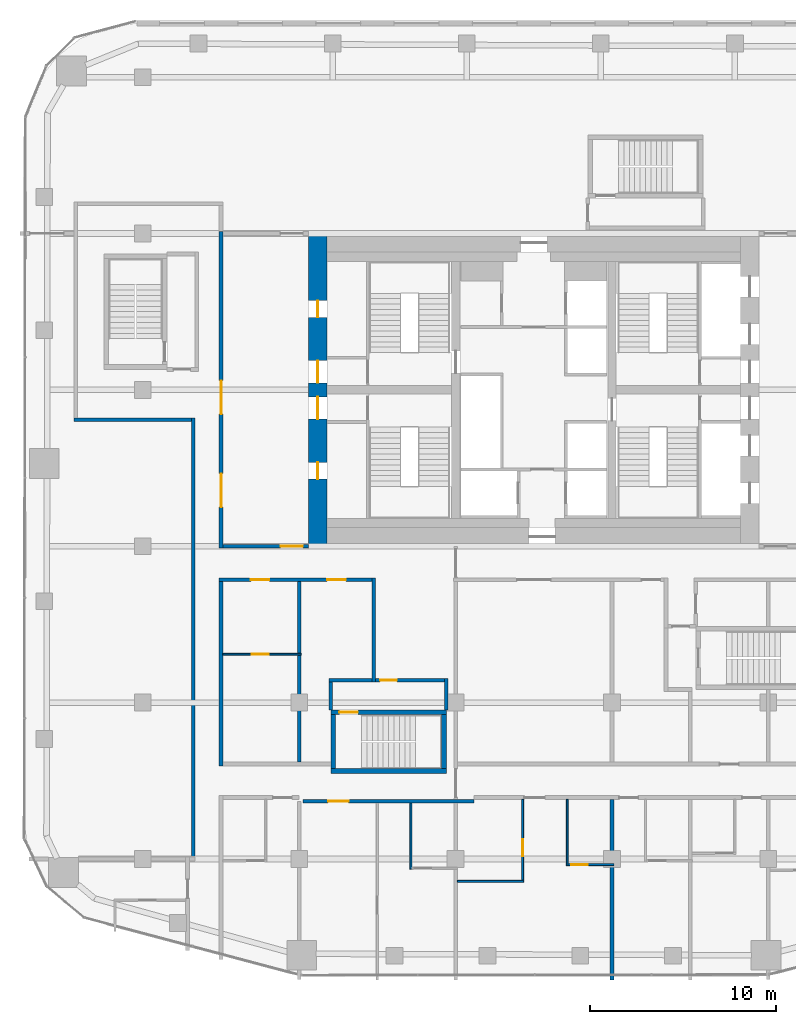
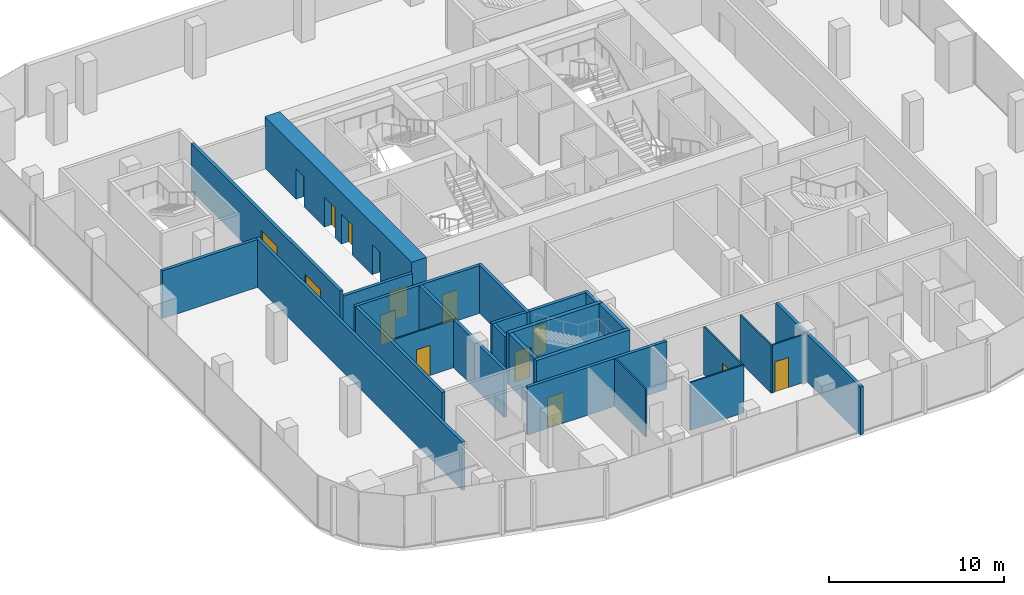
# One storey, part 14 of 21: 25 walls, 15 doors, 15 openings.
"""IFC4 building model written with IfcOpenShell, lengths in metres."""

from ifc_helpers import new_model, si_unit, direction, frame, frame_2d, origin, place, context, subcontext, project, spatial, rectangle, extrude, material, layer, layer_set, type_object, element, fill, save


model = new_model("IFC4")

# Units and contexts
model_context = context("Model", 3, precision=1e-05, world=origin(), true_north=direction((0.0, 1.0)))
body_context = subcontext(model_context, "Body", "Model", "MODEL_VIEW")
ifc_project = project(units=[si_unit("LENGTHUNIT", "METRE"), si_unit("AREAUNIT", "SQUARE_METRE"), si_unit("VOLUMEUNIT", "CUBIC_METRE"), si_unit("PLANEANGLEUNIT", "RADIAN"), si_unit("MASSUNIT", "GRAM", prefix="KILO")], contexts=[model_context])

# Site, building, storey
site_placement = place(None, origin())
site = spatial("IfcSite", under=ifc_project, at=site_placement, CompositionType="ELEMENT")
building_placement = place(site_placement, origin())
building = spatial("IfcBuilding", under=site, at=building_placement, Name="Marenta Gate Hotel Tower", CompositionType="ELEMENT")
storey_placement = place(building_placement, frame((0.0, 0.0, 133.699951171875)))
storey = spatial("IfcBuildingStorey", under=building, at=storey_placement, Name="L30", CompositionType="ELEMENT", Elevation=133.699951171875)

# Wall, openings, doors
ifc_material_1 = material(Name="Concrete blockwork", Category="masonry")
ifc_layer_1 = layer(ifc_material_1, 0.199951171875)
ifc_layer_set_1 = layer_set([ifc_layer_1], Name="Concrete blockwork")
wall_type_1 = type_object("IfcWallType", Name="Core boundary wall 200 REI 180", PredefinedType="PARTITIONING", material=ifc_layer_set_1)
wall_1_placement = place(storey_placement, frame((-16.800048828125, -0.10009765625, 0.0), z_axis=(0.0, 0.0, 1.0), x_axis=(0.0, 1.0, 0.0)))
wall_1 = element("IfcWall", 1, at=wall_1_placement, inside=storey, type_object=wall_type_1, Name="L30-CP-BW-W", PredefinedType="PARTITIONING", context=body_context, shape_type="SweptSolid", body=[
    extrude(rectangle(XDim=17.0, YDim=0.199951171875, at=frame_2d((8.5, 0.0))), origin(), (0.0, 0.0, 1.0), 3.340087890625),
])
opening_1_placement = place(wall_1_placement, frame((2.199951171875, 0.0, 0.0)))
opening_1 = element("IfcOpeningElement", 2, at=opening_1_placement, cuts=wall_1, Name="Opening ED-Wa-B", PredefinedType="OPENING", context=body_context, shape_type="SweptSolid", body=[
    extrude(rectangle(XDim=1.800048828125, YDim=2.10009765625, at=frame_2d((0.89990234375, 1.050048828125))), frame((0.0, 0.10009765625, 0.0), z_axis=(0.0, -1.0, 0.0), x_axis=(1.0, 0.0, 0.0)), (0.0, 0.0, 1.0), 0.199951171875),
])
opening_2_placement = place(wall_1_placement, frame((7.199951171875, 0.0, 0.0)))
opening_2 = element("IfcOpeningElement", 3, at=opening_2_placement, cuts=wall_1, Name="Opening ED-Wb-B", PredefinedType="OPENING", context=body_context, shape_type="SweptSolid", body=[
    extrude(rectangle(XDim=1.800048828125, YDim=2.10009765625, at=frame_2d((0.89990234375, 1.050048828125))), frame((0.0, 0.10009765625, 0.0), z_axis=(0.0, -1.0, 0.0), x_axis=(1.0, 0.0, 0.0)), (0.0, 0.0, 1.0), 0.199951171875),
])
ifc_material_2 = material(Name="Steel", Category="steel")
door_type_1 = type_object("IfcDoorType", Name="Core lobby entrance door 1800x2100 EI 60", OperationType="DOUBLE_DOOR_SINGLE_SWING", PredefinedType="DOOR", material=ifc_material_2)
door_1_placement = place(opening_1_placement, origin())
door_1 = element("IfcDoor", 4, at=door_1_placement, inside=storey, type_object=door_type_1, Name="ED-Wa-B", OperationType="DOUBLE_DOOR_SINGLE_SWING", OverallHeight=2.10009765625, OverallWidth=1.800048828125, PredefinedType="DOOR", context=body_context, shape_type="SweptSolid", body=[
    extrude(rectangle(XDim=1.800048828125, YDim=2.10009765625, at=frame_2d((0.89990234375, 1.050048828125))), frame((0.0, 0.02490234375, 0.0), z_axis=(0.0, -1.0, 0.0), x_axis=(1.0, 0.0, 0.0)), (0.0, 0.0, 1.0), 0.050048828125),
])
fill(opening_1, door_1)
door_2_placement = place(opening_2_placement, origin())
door_2 = element("IfcDoor", 5, at=door_2_placement, inside=storey, type_object=door_type_1, Name="ED-Wb-B", OperationType="DOUBLE_DOOR_SINGLE_SWING", OverallHeight=2.10009765625, OverallWidth=1.800048828125, PredefinedType="DOOR", context=body_context, shape_type="SweptSolid", body=[
    extrude(rectangle(XDim=1.800048828125, YDim=2.10009765625, at=frame_2d((0.89990234375, 1.050048828125))), frame((0.0, 0.02490234375, 0.0), z_axis=(0.0, -1.0, 0.0), x_axis=(1.0, 0.0, 0.0)), (0.0, 0.0, 1.0), 0.050048828125),
])
fill(opening_2, door_2)

# Wall, opening, door
wall_2_placement = place(storey_placement, frame((-16.699951171875, 0.0, 0.0), z_axis=(0.0, 0.0, 1.0), x_axis=(1.0, 0.0, 0.0)))
wall_2 = element("IfcWall", 6, at=wall_2_placement, inside=storey, type_object=wall_type_1, Name="L30-CP-EW-WS", PredefinedType="PARTITIONING", context=body_context, shape_type="SweptSolid", body=[
    extrude(rectangle(XDim=4.599853515625, YDim=0.199951171875, at=frame_2d((2.2998046875, 0.0))), origin(), (0.0, 0.0, 1.0), 2.89013671875),
])
opening_3_placement = place(wall_2_placement, frame((3.10009765625, 0.0, 0.0)))
opening_3 = element("IfcOpeningElement", 7, at=opening_3_placement, cuts=wall_2, Name="Opening RFD-WS", PredefinedType="OPENING", context=body_context, shape_type="SweptSolid", body=[
    extrude(rectangle(XDim=1.199951171875, YDim=2.10009765625, at=frame_2d((0.60009765625, 1.050048828125))), frame((0.0, 0.10009765625, 0.0), z_axis=(0.0, -1.0, 0.0), x_axis=(1.0, 0.0, 0.0)), (0.0, 0.0, 1.0), 0.199951171875),
])
ifc_material_3 = material(Name="Steel", Category="steel")
door_type_2 = type_object("IfcDoorType", Name="Core lobby door 1200x2100 FD60", OperationType="SINGLE_SWING_LEFT", PredefinedType="DOOR", material=ifc_material_3)
door_3_placement = place(opening_3_placement, origin())
door_3 = element("IfcDoor", 8, at=door_3_placement, inside=storey, type_object=door_type_2, Name="RFD-WS", OperationType="SINGLE_SWING_LEFT", OverallHeight=2.10009765625, OverallWidth=1.199951171875, PredefinedType="DOOR", context=body_context, shape_type="SweptSolid", body=[
    extrude(rectangle(XDim=1.199951171875, YDim=2.10009765625, at=frame_2d((0.60009765625, 1.050048828125))), frame((0.0, 0.02490234375, 0.0), z_axis=(0.0, -1.0, 0.0), x_axis=(1.0, 0.0, 0.0)), (0.0, 0.0, 1.0), 0.050048828125),
])
fill(opening_3, door_3)

# Wall, openings, doors
ifc_material_4 = material(Name="Concrete C70", Category="concrete")
ifc_layer_2 = layer(ifc_material_4, 1.0)
ifc_layer_set_2 = layer_set([ifc_layer_2], Name="Concrete C70")
wall_type_2 = type_object("IfcWallType", Name="Core wall 1000 C70", PredefinedType="SHEAR", material=ifc_layer_set_2)
wall_3_placement = place(storey_placement, frame((-11.60009765625, 0.0, 0.0), z_axis=(0.0, 0.0, 1.0), x_axis=(0.0, 1.0, 0.0)))
wall_3 = element("IfcWall", 9, at=wall_3_placement, inside=storey, type_object=wall_type_2, Name="L30-CORE-W", PredefinedType="SHEAR", context=body_context, shape_type="SweptSolid", body=[
    extrude(rectangle(XDim=16.800048828125, YDim=1.0, at=frame_2d((8.39990234375, 0.0))), origin(), (0.0, 0.0, 1.0), 3.60009765625),
])
opening_4_placement = place(wall_3_placement, frame((3.60009765625, 0.0, 0.0)))
opening_4 = element("IfcOpeningElement", 10, at=opening_4_placement, cuts=wall_3, Name="Opening RD-WS-1", PredefinedType="OPENING", context=body_context, shape_type="SweptSolid", body=[
    extrude(rectangle(XDim=0.89990234375, YDim=2.10009765625, at=frame_2d((0.449951171875, 1.050048828125))), frame((0.0, 0.5, 0.0), z_axis=(0.0, -1.0, 0.0), x_axis=(1.0, 0.0, 0.0)), (0.0, 0.0, 1.0), 1.0),
])
opening_5_placement = place(wall_3_placement, frame((6.824951171875, 0.0, 0.0)))
opening_5 = element("IfcOpeningElement", 11, at=opening_5_placement, cuts=wall_3, Name="Opening PD-WS", PredefinedType="OPENING", context=body_context, shape_type="SweptSolid", body=[
    extrude(rectangle(XDim=1.199951171875, YDim=2.10009765625, at=frame_2d((0.60009765625, 1.050048828125))), frame((0.0, 0.5, 0.0), z_axis=(0.0, -1.0, 0.0), x_axis=(1.0, 0.0, 0.0)), (0.0, 0.0, 1.0), 1.0),
])
opening_6_placement = place(wall_3_placement, frame((12.300048828125, 0.0, 0.0)))
opening_6 = element("IfcOpeningElement", 12, at=opening_6_placement, cuts=wall_3, Name="Opening RD-WN-1", PredefinedType="OPENING", context=body_context, shape_type="SweptSolid", body=[
    extrude(rectangle(XDim=0.89990234375, YDim=2.10009765625, at=frame_2d((0.449951171875, 1.050048828125))), frame((0.0, 0.5, 0.0), z_axis=(0.0, -1.0, 0.0), x_axis=(1.0, 0.0, 0.0)), (0.0, 0.0, 1.0), 1.0),
])
opening_7_placement = place(wall_3_placement, frame((8.77490234375, 0.0, 0.0)))
opening_7 = element("IfcOpeningElement", 13, at=opening_7_placement, cuts=wall_3, Name="Opening PD-WN", PredefinedType="OPENING", context=body_context, shape_type="SweptSolid", body=[
    extrude(rectangle(XDim=1.199951171875, YDim=2.10009765625, at=frame_2d((0.60009765625, 1.050048828125))), frame((0.0, 0.5, 0.0), z_axis=(0.0, -1.0, 0.0), x_axis=(1.0, 0.0, 0.0)), (0.0, 0.0, 1.0), 1.0),
])
door_4_placement = place(opening_5_placement, origin())
door_4 = element("IfcDoor", 14, at=door_4_placement, inside=storey, type_object=door_type_2, Name="PD-WS", OperationType="SINGLE_SWING_LEFT", OverallHeight=2.10009765625, OverallWidth=1.199951171875, PredefinedType="DOOR", context=body_context, shape_type="SweptSolid", body=[
    extrude(rectangle(XDim=1.199951171875, YDim=2.10009765625, at=frame_2d((0.60009765625, 1.050048828125))), frame((0.0, 0.02490234375, 0.0), z_axis=(0.0, -1.0, 0.0), x_axis=(1.0, 0.0, 0.0)), (0.0, 0.0, 1.0), 0.050048828125),
])
fill(opening_5, door_4)
door_5_placement = place(opening_7_placement, origin())
door_5 = element("IfcDoor", 15, at=door_5_placement, inside=storey, type_object=door_type_2, Name="PD-WN", OperationType="SINGLE_SWING_LEFT", OverallHeight=2.10009765625, OverallWidth=1.199951171875, PredefinedType="DOOR", context=body_context, shape_type="SweptSolid", body=[
    extrude(rectangle(XDim=1.199951171875, YDim=2.10009765625, at=frame_2d((0.60009765625, 1.050048828125))), frame((0.0, 0.02490234375, 0.0), z_axis=(0.0, -1.0, 0.0), x_axis=(1.0, 0.0, 0.0)), (0.0, 0.0, 1.0), 0.050048828125),
])
fill(opening_7, door_5)
ifc_material_5 = material(Name="Steel", Category="steel")
door_type_3 = type_object("IfcDoorType", Name="Core service room door 900x2100 FD30S", OperationType="SINGLE_SWING_LEFT", PredefinedType="DOOR", material=ifc_material_5)
door_6_placement = place(opening_4_placement, origin())
door_6 = element("IfcDoor", 16, at=door_6_placement, inside=storey, type_object=door_type_3, Name="RD-WS-1", OperationType="SINGLE_SWING_LEFT", OverallHeight=2.10009765625, OverallWidth=0.89990234375, PredefinedType="DOOR", context=body_context, shape_type="SweptSolid", body=[
    extrude(rectangle(XDim=0.89990234375, YDim=2.10009765625, at=frame_2d((0.449951171875, 1.050048828125))), frame((0.0, 0.02490234375, 0.0), z_axis=(0.0, -1.0, 0.0), x_axis=(1.0, 0.0, 0.0)), (0.0, 0.0, 1.0), 0.050048828125),
])
fill(opening_4, door_6)
door_7_placement = place(opening_6_placement, origin())
door_7 = element("IfcDoor", 17, at=door_7_placement, inside=storey, type_object=door_type_3, Name="RD-WN-1", OperationType="SINGLE_SWING_LEFT", OverallHeight=2.10009765625, OverallWidth=0.89990234375, PredefinedType="DOOR", context=body_context, shape_type="SweptSolid", body=[
    extrude(rectangle(XDim=0.89990234375, YDim=2.10009765625, at=frame_2d((0.449951171875, 1.050048828125))), frame((0.0, 0.02490234375, 0.0), z_axis=(0.0, -1.0, 0.0), x_axis=(1.0, 0.0, 0.0)), (0.0, 0.0, 1.0), 0.050048828125),
])
fill(opening_6, door_7)

# Wall
ifc_material_6 = material(Name="Concrete C40", Category="concrete")
ifc_layer_3 = layer(ifc_material_6, 0.25)
ifc_layer_set_3 = layer_set([ifc_layer_3], Name="Concrete C40")
wall_type_3 = type_object("IfcWallType", Name="Remote stair enclosure wall 250 REI 180", PredefinedType="SHEAR", material=ifc_layer_set_3)
wall_4_placement = place(storey_placement, frame((-10.89990234375, -12.074951171875, 0.10009765625), z_axis=(0.0, 0.0, 1.0), x_axis=(1.0, 0.0, 0.0)))
element("IfcWall", 18, at=wall_4_placement, inside=storey, type_object=wall_type_3, Name="L30-RS-Z2-1-W1", PredefinedType="SHEAR", context=body_context, shape_type="SweptSolid", body=[
    extrude(rectangle(XDim=6.199951171875, YDim=0.25, at=frame_2d((3.10009765625, 0.0))), origin(), (0.0, 0.0, 1.0), 3.599853515625),
])

# Wall, opening, door
wall_5_placement = place(storey_placement, frame((-10.89990234375, -8.925048828125, 0.10009765625), z_axis=(0.0, 0.0, 1.0), x_axis=(1.0, 0.0, 0.0)))
wall_5 = element("IfcWall", 19, at=wall_5_placement, inside=storey, type_object=wall_type_3, Name="L30-RS-Z2-1-W2", PredefinedType="SHEAR", context=body_context, shape_type="SweptSolid", body=[
    extrude(rectangle(XDim=6.199951171875, YDim=0.25, at=frame_2d((3.10009765625, 0.0))), origin(), (0.0, 0.0, 1.0), 3.599853515625),
])
opening_8_placement = place(wall_5_placement, frame((0.449951171875, 0.0, 0.0)))
opening_8 = element("IfcOpeningElement", 20, at=opening_8_placement, cuts=wall_5, Name="Opening VD", PredefinedType="OPENING", context=body_context, shape_type="SweptSolid", body=[
    extrude(rectangle(XDim=1.0, YDim=2.10009765625, at=frame_2d((0.5, 1.050048828125))), frame((0.0, 0.125, 0.0), z_axis=(0.0, -1.0, 0.0), x_axis=(1.0, 0.0, 0.0)), (0.0, 0.0, 1.0), 0.25),
])
ifc_material_7 = material(Name="Steel", Category="steel")
door_type_4 = type_object("IfcDoorType", Name="Stair vestibule door 1000x2100 FD60", OperationType="SINGLE_SWING_LEFT", PredefinedType="DOOR", material=ifc_material_7)
door_8_placement = place(opening_8_placement, origin())
door_8 = element("IfcDoor", 21, at=door_8_placement, inside=storey, type_object=door_type_4, Name="VD", OperationType="SINGLE_SWING_LEFT", OverallHeight=2.10009765625, OverallWidth=1.0, PredefinedType="DOOR", context=body_context, shape_type="SweptSolid", body=[
    extrude(rectangle(XDim=1.0, YDim=2.10009765625, at=frame_2d((0.5, 1.050048828125))), frame((0.0, 0.02490234375, 0.0), z_axis=(0.0, -1.0, 0.0), x_axis=(1.0, 0.0, 0.0)), (0.0, 0.0, 1.0), 0.050048828125),
])
fill(opening_8, door_8)

# Walls
for number, where, z_axis, x_axis, name in (
    (22, (-10.77490234375, -11.949951171875, 0.10009765625), (0.0, 0.0, 1.0), (0.0, 1.0, 0.0), "L30-RS-Z2-1-W3"),
    (23, (-4.824951171875, -11.949951171875, 0.10009765625), (0.0, 0.0, 1.0), (0.0, 1.0, 0.0), "L30-RS-Z2-1-W4"),
):
    element("IfcWall", number, at=place(storey_placement, frame(where, z_axis=z_axis, x_axis=x_axis)), inside=storey, type_object=wall_type_3, Name=name, PredefinedType="SHEAR", context=body_context, shape_type="SweptSolid", body=[
        extrude(rectangle(XDim=2.89990234375, YDim=0.25, at=frame_2d((1.449951171875, 0.0))), origin(), (0.0, 0.0, 1.0), 3.599853515625),
    ])

# Wall, openings, doors
ifc_material_8 = material(Name="Concrete blockwork", Category="masonry")
ifc_layer_4 = layer(ifc_material_8, 0.199951171875)
ifc_layer_set_4 = layer_set([ifc_layer_4], Name="Concrete blockwork")
wall_type_4 = type_object("IfcWallType", Name="Room corridor wall 200 EI 120", PredefinedType="PARTITIONING", material=ifc_layer_set_4)
wall_6_placement = place(storey_placement, frame((-16.89990234375, -1.800048828125, 0.0), z_axis=(0.0, 0.0, 1.0), x_axis=(1.0, 0.0, 0.0)))
wall_6 = element("IfcWall", 24, at=wall_6_placement, inside=storey, type_object=wall_type_4, Name="L30-PTN-W044", PredefinedType="PARTITIONING", context=body_context, shape_type="SweptSolid", body=[
    extrude(rectangle(XDim=8.199951171875, YDim=0.199951171875, at=frame_2d((4.10009765625, 0.0))), origin(), (0.0, 0.0, 1.0), 3.340087890625),
])
opening_9_placement = place(wall_6_placement, frame((1.699951171875, 0.0, 0.0)))
opening_9 = element("IfcOpeningElement", 25, at=opening_9_placement, cuts=wall_6, Name="Opening G11-01", PredefinedType="OPENING", context=body_context, shape_type="SweptSolid", body=[
    extrude(rectangle(XDim=1.0, YDim=2.10009765625, at=frame_2d((0.5, 1.050048828125))), frame((0.0, 0.10009765625, 0.0), z_axis=(0.0, -1.0, 0.0), x_axis=(1.0, 0.0, 0.0)), (0.0, 0.0, 1.0), 0.199951171875),
])
opening_10_placement = place(wall_6_placement, frame((5.800048828125, 0.0, 0.0)))
opening_10 = element("IfcOpeningElement", 26, at=opening_10_placement, cuts=wall_6, Name="Opening G11-03", PredefinedType="OPENING", context=body_context, shape_type="SweptSolid", body=[
    extrude(rectangle(XDim=1.0, YDim=2.10009765625, at=frame_2d((0.5, 1.050048828125))), frame((0.0, 0.10009765625, 0.0), z_axis=(0.0, -1.0, 0.0), x_axis=(1.0, 0.0, 0.0)), (0.0, 0.0, 1.0), 0.199951171875),
])
ifc_material_9 = material(Name="Hollow steel door set", Category="steel")
door_type_5 = type_object("IfcDoorType", Name="Room service door 1000x2100 EI 60", OperationType="NOTDEFINED", PredefinedType="DOOR", material=ifc_material_9)
door_9_placement = place(opening_9_placement, origin())
door_9 = element("IfcDoor", 27, at=door_9_placement, inside=storey, type_object=door_type_5, Name="L30-PD-D001", OperationType="SINGLE_SWING_LEFT", OverallHeight=2.10009765625, OverallWidth=1.0, PredefinedType="DOOR", context=body_context, shape_type="SweptSolid", body=[
    extrude(rectangle(XDim=1.0, YDim=2.10009765625, at=frame_2d((0.5, 1.050048828125))), frame((0.0, 0.02490234375, 0.0), z_axis=(0.0, -1.0, 0.0), x_axis=(1.0, 0.0, 0.0)), (0.0, 0.0, 1.0), 0.050048828125),
])
fill(opening_9, door_9)
door_10_placement = place(opening_10_placement, origin())
door_10 = element("IfcDoor", 28, at=door_10_placement, inside=storey, type_object=door_type_5, Name="L30-PD-D003", OperationType="SINGLE_SWING_LEFT", OverallHeight=2.10009765625, OverallWidth=1.0, PredefinedType="DOOR", context=body_context, shape_type="SweptSolid", body=[
    extrude(rectangle(XDim=1.0, YDim=2.10009765625, at=frame_2d((0.5, 1.050048828125))), frame((0.0, 0.02490234375, 0.0), z_axis=(0.0, -1.0, 0.0), x_axis=(1.0, 0.0, 0.0)), (0.0, 0.0, 1.0), 0.050048828125),
])
fill(opening_10, door_10)

# Wall
wall_7_placement = place(storey_placement, frame((-8.60009765625, -7.300048828125, 0.0), z_axis=(0.0, 0.0, 1.0), x_axis=(0.0, 1.0, 0.0)))
element("IfcWall", 29, at=wall_7_placement, inside=storey, type_object=wall_type_4, Name="L30-PTN-W054", PredefinedType="PARTITIONING", context=body_context, shape_type="SweptSolid", body=[
    extrude(rectangle(XDim=5.60009765625, YDim=0.199951171875, at=frame_2d((2.800048828125, 0.0))), origin(), (0.0, 0.0, 1.0), 3.340087890625),
])

# Wall, opening, door
ifc_material_10 = material(Name="Gypsum board on steel stud", Category="steel")
ifc_layer_5 = layer(ifc_material_10, 0.199951171875)
ifc_layer_set_5 = layer_set([ifc_layer_5], Name="Gypsum board on steel stud")
wall_type_5 = type_object("IfcWallType", Name="Room corridor wall 200 EI 60", PredefinedType="PARTITIONING", material=ifc_layer_set_5)
wall_8_placement = place(storey_placement, frame((-12.39990234375, -13.699951171875, 0.0), z_axis=(0.0, 0.0, 1.0), x_axis=(1.0, 0.0, 0.0)))
wall_8 = element("IfcWall", 30, at=wall_8_placement, inside=storey, type_object=wall_type_5, Name="L30-PTN-W019", PredefinedType="PARTITIONING", context=body_context, shape_type="SweptSolid", body=[
    extrude(rectangle(XDim=9.199951171875, YDim=0.199951171875, at=frame_2d((4.60009765625, 0.0))), origin(), (0.0, 0.0, 1.0), 3.340087890625),
])
opening_11_placement = place(wall_8_placement, frame((1.35009765625, 0.0, 0.0)))
opening_11 = element("IfcOpeningElement", 31, at=opening_11_placement, cuts=wall_8, Name="Opening G11-11", PredefinedType="OPENING", context=body_context, shape_type="SweptSolid", body=[
    extrude(rectangle(XDim=1.10009765625, YDim=2.10009765625, at=frame_2d((0.550048828125, 1.050048828125))), frame((0.0, 0.10009765625, 0.0), z_axis=(0.0, -1.0, 0.0), x_axis=(1.0, 0.0, 0.0)), (0.0, 0.0, 1.0), 0.199951171875),
])
ifc_material_11 = material(Name="Timber door leaf", Category="wood")
door_type_6 = type_object("IfcDoorType", Name="Guest room door 1100x2100 EI 30", OperationType="NOTDEFINED", PredefinedType="DOOR", material=ifc_material_11)
door_11_placement = place(opening_11_placement, origin())
door_11 = element("IfcDoor", 32, at=door_11_placement, inside=storey, type_object=door_type_6, Name="L30-PD-D011", OperationType="SINGLE_SWING_RIGHT", OverallHeight=2.10009765625, OverallWidth=1.10009765625, PredefinedType="DOOR", context=body_context, shape_type="SweptSolid", body=[
    extrude(rectangle(XDim=1.10009765625, YDim=2.10009765625, at=frame_2d((0.550048828125, 1.050048828125))), frame((0.0, 0.02490234375, 0.0), z_axis=(0.0, -1.0, 0.0), x_axis=(1.0, 0.0, 0.0)), (0.0, 0.0, 1.0), 0.050048828125),
])
fill(opening_11, door_11)

# Wall
wall_9_placement = place(storey_placement, frame((-16.800048828125, -11.800048828125, 0.0), z_axis=(0.0, 0.0, 1.0), x_axis=(0.0, 1.0, 0.0)))
element("IfcWall", 33, at=wall_9_placement, inside=storey, type_object=wall_type_5, Name="L30-PTN-W062", PredefinedType="PARTITIONING", context=body_context, shape_type="SweptSolid", body=[
    extrude(rectangle(XDim=9.900146484375, YDim=0.199951171875, at=frame_2d((4.9501953125, 0.0))), origin(), (0.0, 0.0, 1.0), 3.340087890625),
])

# Wall, opening, door
ifc_material_12 = material(Name="Concrete blockwork", Category="masonry")
ifc_layer_6 = layer(ifc_material_12, 0.199951171875)
ifc_layer_set_6 = layer_set([ifc_layer_6], Name="Concrete blockwork")
wall_type_6 = type_object("IfcWallType", Name="Room corridor wall 200 REI 180", PredefinedType="PARTITIONING", material=ifc_layer_set_6)
wall_10_placement = place(storey_placement, frame((-8.5, -7.199951171875, 0.0), z_axis=(0.0, 0.0, 1.0), x_axis=(1.0, 0.0, 0.0)))
wall_10 = element("IfcWall", 34, at=wall_10_placement, inside=storey, type_object=wall_type_6, Name="L30-PTN-W034", PredefinedType="PARTITIONING", context=body_context, shape_type="SweptSolid", body=[
    extrude(rectangle(XDim=3.699951171875, YDim=0.199951171875, at=frame_2d((1.85009765625, 0.0))), origin(), (0.0, 0.0, 1.0), 3.340087890625),
])
opening_12_placement = place(wall_10_placement, frame((0.25, 0.0, 0.0)))
opening_12 = element("IfcOpeningElement", 35, at=opening_12_placement, cuts=wall_10, Name="Opening G11-28", PredefinedType="OPENING", context=body_context, shape_type="SweptSolid", body=[
    extrude(rectangle(XDim=0.89990234375, YDim=2.10009765625, at=frame_2d((0.449951171875, 1.050048828125))), frame((0.0, 0.10009765625, 0.0), z_axis=(0.0, -1.0, 0.0), x_axis=(1.0, 0.0, 0.0)), (0.0, 0.0, 1.0), 0.199951171875),
])
ifc_material_13 = material(Name="Hollow steel door set", Category="steel")
door_type_7 = type_object("IfcDoorType", Name="Stair vestibule door 900x2100 EI 60", OperationType="NOTDEFINED", PredefinedType="DOOR", material=ifc_material_13)
door_12_placement = place(opening_12_placement, origin())
door_12 = element("IfcDoor", 36, at=door_12_placement, inside=storey, type_object=door_type_7, Name="L30-PD-D028", OperationType="SINGLE_SWING_RIGHT", OverallHeight=2.10009765625, OverallWidth=0.89990234375, PredefinedType="DOOR", context=body_context, shape_type="SweptSolid", body=[
    extrude(rectangle(XDim=0.89990234375, YDim=2.10009765625, at=frame_2d((0.449951171875, 1.050048828125))), frame((0.0, 0.02490234375, 0.0), z_axis=(0.0, -1.0, 0.0), x_axis=(1.0, 0.0, 0.0)), (0.0, 0.0, 1.0), 0.050048828125),
])
fill(opening_12, door_12)

# Walls
wall_11_placement = place(storey_placement, frame((-4.699951171875, -8.800048828125, 0.0), z_axis=(0.0, 0.0, 1.0), x_axis=(0.0, 1.0, 0.0)))
element("IfcWall", 37, at=wall_11_placement, inside=storey, type_object=wall_type_6, Name="L30-PTN-W050", PredefinedType="PARTITIONING", context=body_context, shape_type="SweptSolid", body=[
    extrude(rectangle(XDim=1.699951171875, YDim=0.199951171875, at=frame_2d((0.85009765625, 0.0))), origin(), (0.0, 0.0, 1.0), 3.340087890625),
])
wall_12_placement = place(storey_placement, frame((-24.699951171875, 6.800048828125, 0.0), z_axis=(0.0, 0.0, 1.0), x_axis=(1.0, 0.0, 0.0)))
element("IfcWall", 38, at=wall_12_placement, inside=storey, type_object=wall_type_6, Name="L30-PTN-W052", PredefinedType="PARTITIONING", context=body_context, shape_type="SweptSolid", body=[
    extrude(rectangle(XDim=6.300048828125, YDim=0.199951171875, at=frame_2d((3.14990234375, 0.0))), origin(), (0.0, 0.0, 1.0), 3.340087890625),
])
wall_13_placement = place(storey_placement, frame((-18.300048828125, -16.699951171875, 0.0), z_axis=(0.0, 0.0, 1.0), x_axis=(0.0, 1.0, 0.0)))
element("IfcWall", 39, at=wall_13_placement, inside=storey, type_object=wall_type_6, Name="L30-PTN-W069", PredefinedType="PARTITIONING", context=body_context, shape_type="SweptSolid", body=[
    extrude(rectangle(XDim=23.599853515625, YDim=0.199951171875, at=frame_2d((11.7998046875, 0.0))), origin(), (0.0, 0.0, 1.0), 3.340087890625),
])
ifc_material_14 = material(Name="Gypsum board on steel stud", Category="steel")
ifc_layer_7 = layer(ifc_material_14, 0.10009765625)
ifc_layer_set_7 = layer_set([ifc_layer_7], Name="Gypsum board on steel stud")
wall_type_7 = type_object("IfcWallType", Name="Room partition 100", PredefinedType="PARTITIONING", material=ifc_layer_set_7)
wall_14_placement = place(storey_placement, frame((-4.10009765625, -18.0, 0.0), z_axis=(0.0, 0.0, 1.0), x_axis=(1.0, 0.0, 0.0)))
element("IfcWall", 40, at=wall_14_placement, inside=storey, type_object=wall_type_7, Name="L30-PTN-W006", PredefinedType="PARTITIONING", context=body_context, shape_type="SweptSolid", body=[
    extrude(rectangle(XDim=3.550048828125, YDim=0.10009765625, at=frame_2d((1.77490234375, 0.0))), origin(), (0.0, 0.0, 1.0), 3.340087890625),
])

# Wall, opening, door
wall_15_placement = place(storey_placement, frame((1.85009765625, -17.10009765625, 0.0), z_axis=(0.0, 0.0, 1.0), x_axis=(1.0, 0.0, 0.0)))
wall_15 = element("IfcWall", 41, at=wall_15_placement, inside=storey, type_object=wall_type_7, Name="L30-PTN-W009", PredefinedType="PARTITIONING", context=body_context, shape_type="SweptSolid", body=[
    extrude(rectangle(XDim=2.449951171875, YDim=0.10009765625, at=frame_2d((1.22509765625, 0.0))), origin(), (0.0, 0.0, 1.0), 3.340087890625),
])
opening_13_placement = place(wall_15_placement, frame((0.14990234375, 0.0, 0.0)))
opening_13 = element("IfcOpeningElement", 42, at=opening_13_placement, cuts=wall_15, Name="Opening G11-16", PredefinedType="OPENING", context=body_context, shape_type="SweptSolid", body=[
    extrude(rectangle(XDim=0.89990234375, YDim=2.10009765625, at=frame_2d((0.449951171875, 1.050048828125))), frame((0.0, 0.050048828125, 0.0), z_axis=(0.0, -1.0, 0.0), x_axis=(1.0, 0.0, 0.0)), (0.0, 0.0, 1.0), 0.10009765625),
])
ifc_material_15 = material(Name="Timber door leaf", Category="wood")
door_type_8 = type_object("IfcDoorType", Name="Room inner door 900x2100", OperationType="NOTDEFINED", PredefinedType="DOOR", material=ifc_material_15)
door_13_placement = place(opening_13_placement, origin())
door_13 = element("IfcDoor", 43, at=door_13_placement, inside=storey, type_object=door_type_8, Name="L30-PD-D016", OperationType="SINGLE_SWING_LEFT", OverallHeight=2.10009765625, OverallWidth=0.89990234375, PredefinedType="DOOR", context=body_context, shape_type="SweptSolid", body=[
    extrude(rectangle(XDim=0.89990234375, YDim=2.10009765625, at=frame_2d((0.449951171875, 1.050048828125))), frame((0.0, 0.02490234375, 0.0), z_axis=(0.0, -1.0, 0.0), x_axis=(1.0, 0.0, 0.0)), (0.0, 0.0, 1.0), 0.050048828125),
])
fill(opening_13, door_13)

wall_16_placement = place(storey_placement, frame((-16.699951171875, -5.800048828125, 0.0), z_axis=(0.0, 0.0, 1.0), x_axis=(1.0, 0.0, 0.0)))
wall_16 = element("IfcWall", 44, at=wall_16_placement, inside=storey, type_object=wall_type_7, Name="L30-PTN-W038", PredefinedType="PARTITIONING", context=body_context, shape_type="SweptSolid", body=[
    extrude(rectangle(XDim=4.199951171875, YDim=0.10009765625, at=frame_2d((2.10009765625, 0.0))), origin(), (0.0, 0.0, 1.0), 3.340087890625),
])
opening_14_placement = place(wall_16_placement, frame((1.550048828125, 0.0, 0.0)))
opening_14 = element("IfcOpeningElement", 45, at=opening_14_placement, cuts=wall_16, Name="Opening G11-02", PredefinedType="OPENING", context=body_context, shape_type="SweptSolid", body=[
    extrude(rectangle(XDim=0.89990234375, YDim=2.10009765625, at=frame_2d((0.449951171875, 1.050048828125))), frame((0.0, 0.050048828125, 0.0), z_axis=(0.0, -1.0, 0.0), x_axis=(1.0, 0.0, 0.0)), (0.0, 0.0, 1.0), 0.10009765625),
])
door_14_placement = place(opening_14_placement, origin())
door_14 = element("IfcDoor", 46, at=door_14_placement, inside=storey, type_object=door_type_8, Name="L30-PD-D002", OperationType="SINGLE_SWING_RIGHT", OverallHeight=2.10009765625, OverallWidth=0.89990234375, PredefinedType="DOOR", context=body_context, shape_type="SweptSolid", body=[
    extrude(rectangle(XDim=0.89990234375, YDim=2.10009765625, at=frame_2d((0.449951171875, 1.050048828125))), frame((0.0, 0.02490234375, 0.0), z_axis=(0.0, -1.0, 0.0), x_axis=(1.0, 0.0, 0.0)), (0.0, 0.0, 1.0), 0.050048828125),
])
fill(opening_14, door_14)

# Wall
wall_17_placement = place(storey_placement, frame((1.800048828125, -17.14990234375, 0.0), z_axis=(0.0, 0.0, 1.0), x_axis=(0.0, 1.0, 0.0)))
element("IfcWall", 47, at=wall_17_placement, inside=storey, type_object=wall_type_7, Name="L30-PTN-W043", PredefinedType="PARTITIONING", context=body_context, shape_type="SweptSolid", body=[
    extrude(rectangle(XDim=3.5498046875, YDim=0.10009765625, at=frame_2d((1.77490234375, 0.0))), origin(), (0.0, 0.0, 1.0), 3.340087890625),
])

# Wall, opening, door
wall_18_placement = place(storey_placement, frame((-0.60009765625, -17.949951171875, 0.0), z_axis=(0.0, 0.0, 1.0), x_axis=(0.0, 1.0, 0.0)))
wall_18 = element("IfcWall", 48, at=wall_18_placement, inside=storey, type_object=wall_type_7, Name="L30-PTN-W047", PredefinedType="PARTITIONING", context=body_context, shape_type="SweptSolid", body=[
    extrude(rectangle(XDim=4.349853515625, YDim=0.10009765625, at=frame_2d((2.1748046875, 0.0))), origin(), (0.0, 0.0, 1.0), 3.340087890625),
])
opening_15_placement = place(wall_18_placement, frame((1.300048828125, 0.0, 0.0)))
opening_15 = element("IfcOpeningElement", 49, at=opening_15_placement, cuts=wall_18, Name="Opening G11-15", PredefinedType="OPENING", context=body_context, shape_type="SweptSolid", body=[
    extrude(rectangle(XDim=0.89990234375, YDim=2.10009765625, at=frame_2d((0.449951171875, 1.050048828125))), frame((0.0, 0.050048828125, 0.0), z_axis=(0.0, -1.0, 0.0), x_axis=(1.0, 0.0, 0.0)), (0.0, 0.0, 1.0), 0.10009765625),
])
ifc_material_16 = material(Name="Timber door leaf", Category="wood")
door_type_9 = type_object("IfcDoorType", Name="Guest bathroom door 900x2100", OperationType="NOTDEFINED", PredefinedType="DOOR", material=ifc_material_16)
door_15_placement = place(opening_15_placement, origin())
door_15 = element("IfcDoor", 50, at=door_15_placement, inside=storey, type_object=door_type_9, Name="L30-PD-D015", OperationType="SINGLE_SWING_LEFT", OverallHeight=2.10009765625, OverallWidth=0.89990234375, PredefinedType="DOOR", context=body_context, shape_type="SweptSolid", body=[
    extrude(rectangle(XDim=0.89990234375, YDim=2.10009765625, at=frame_2d((0.449951171875, 1.050048828125))), frame((0.0, 0.02490234375, 0.0), z_axis=(0.0, -1.0, 0.0), x_axis=(1.0, 0.0, 0.0)), (0.0, 0.0, 1.0), 0.050048828125),
])
fill(opening_15, door_15)

# Walls
wall_19_placement = place(storey_placement, frame((-6.60009765625, -17.35009765625, 0.0), z_axis=(0.0, 0.0, 1.0), x_axis=(0.0, 1.0, 0.0)))
element("IfcWall", 51, at=wall_19_placement, inside=storey, type_object=wall_type_7, Name="L30-PTN-W051", PredefinedType="PARTITIONING", context=body_context, shape_type="SweptSolid", body=[
    extrude(rectangle(XDim=3.550048828125, YDim=0.10009765625, at=frame_2d((1.77490234375, 0.0))), origin(), (0.0, 0.0, 1.0), 3.340087890625),
])
ifc_material_17 = material(Name="Concrete blockwork", Category="masonry")
ifc_layer_8 = layer(ifc_material_17, 0.199951171875)
ifc_layer_set_8 = layer_set([ifc_layer_8], Name="Concrete blockwork")
wall_type_8 = type_object("IfcWallType", Name="Room party wall 200 EI 120", PredefinedType="PARTITIONING", material=ifc_layer_set_8)
wall_20_placement = place(storey_placement, frame((-12.60009765625, -11.60009765625, 0.0), z_axis=(0.0, 0.0, 1.0), x_axis=(0.0, 1.0, 0.0)))
element("IfcWall", 52, at=wall_20_placement, inside=storey, type_object=wall_type_8, Name="L30-PTN-W058", PredefinedType="PARTITIONING", context=body_context, shape_type="SweptSolid", body=[
    extrude(rectangle(XDim=9.7001953125, YDim=0.199951171875, at=frame_2d((4.85009765625, 0.0))), origin(), (0.0, 0.0, 1.0), 3.340087890625),
])
ifc_material_18 = material(Name="Gypsum board on steel stud", Category="steel")
ifc_layer_9 = layer(ifc_material_18, 0.199951171875)
ifc_layer_set_9 = layer_set([ifc_layer_9], Name="Gypsum board on steel stud")
wall_type_9 = type_object("IfcWallType", Name="Room party wall 200 EI 60", PredefinedType="PARTITIONING", material=ifc_layer_set_9)
wall_21_placement = place(storey_placement, frame((4.199951171875, -23.300048828125, 0.0), z_axis=(0.0, 0.0, 1.0), x_axis=(0.0, 1.0, 0.0)))
element("IfcWall", 53, at=wall_21_placement, inside=storey, type_object=wall_type_9, Name="L30-PTN-W040", PredefinedType="PARTITIONING", context=body_context, shape_type="SweptSolid", body=[
    extrude(rectangle(XDim=9.699951171875, YDim=0.199951171875, at=frame_2d((4.85009765625, 0.0))), origin(), (0.0, 0.0, 1.0), 3.340087890625),
])
ifc_material_19 = material(Name="Concrete blockwork", Category="masonry")
ifc_layer_10 = layer(ifc_material_19, 0.199951171875)
ifc_layer_set_10 = layer_set([ifc_layer_10], Name="Concrete blockwork")
wall_type_10 = type_object("IfcWallType", Name="Room party wall 200 REI 180", PredefinedType="PARTITIONING", material=ifc_layer_set_10)
wall_22_placement = place(storey_placement, frame((-11.0, -7.199951171875, 0.0), z_axis=(0.0, 0.0, 1.0), x_axis=(1.0, 0.0, 0.0)))
element("IfcWall", 54, at=wall_22_placement, inside=storey, type_object=wall_type_10, Name="L30-PTN-W033", PredefinedType="PARTITIONING", context=body_context, shape_type="SweptSolid", body=[
    extrude(rectangle(XDim=2.300048828125, YDim=0.199951171875, at=frame_2d((1.14990234375, 0.0))), origin(), (0.0, 0.0, 1.0), 3.340087890625),
])
wall_23_placement = place(storey_placement, frame((-10.89990234375, -8.800048828125, 0.0), z_axis=(0.0, 0.0, 1.0), x_axis=(0.0, 1.0, 0.0)))
element("IfcWall", 55, at=wall_23_placement, inside=storey, type_object=wall_type_10, Name="L30-PTN-W056", PredefinedType="PARTITIONING", context=body_context, shape_type="SweptSolid", body=[
    extrude(rectangle(XDim=1.5, YDim=0.199951171875, at=frame_2d((0.75, 0.0))), origin(), (0.0, 0.0, 1.0), 3.340087890625),
])

save(model, "model.ifc")
